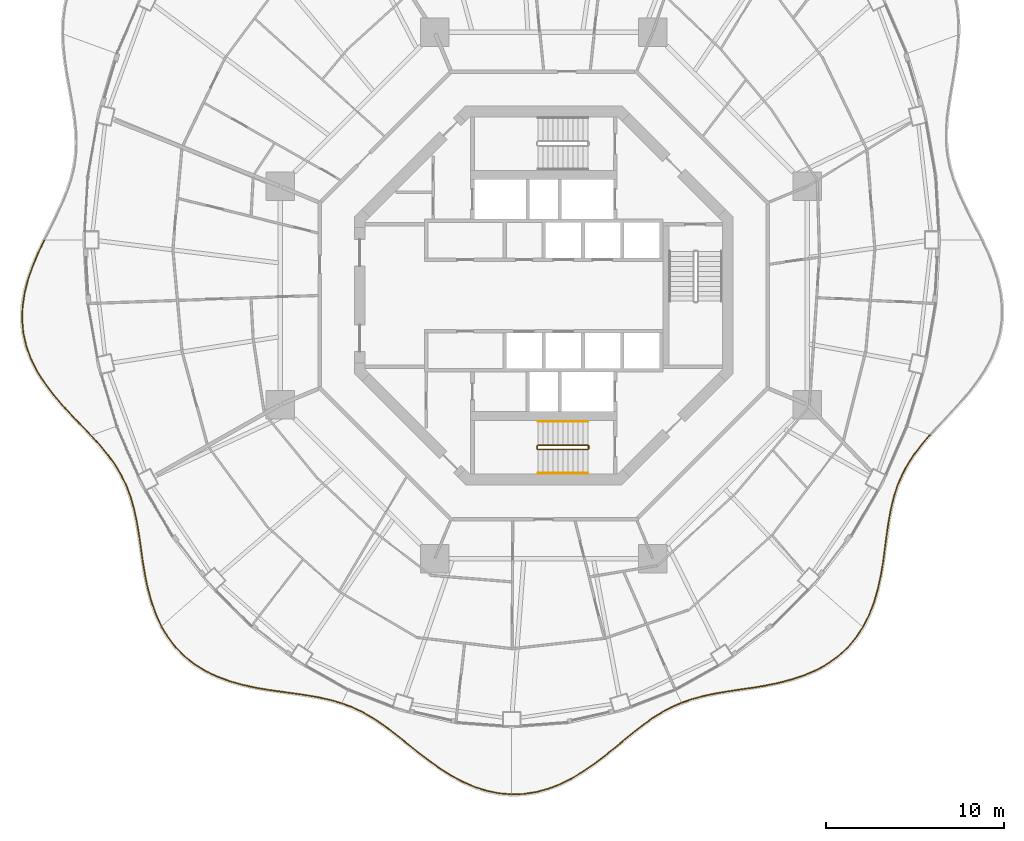
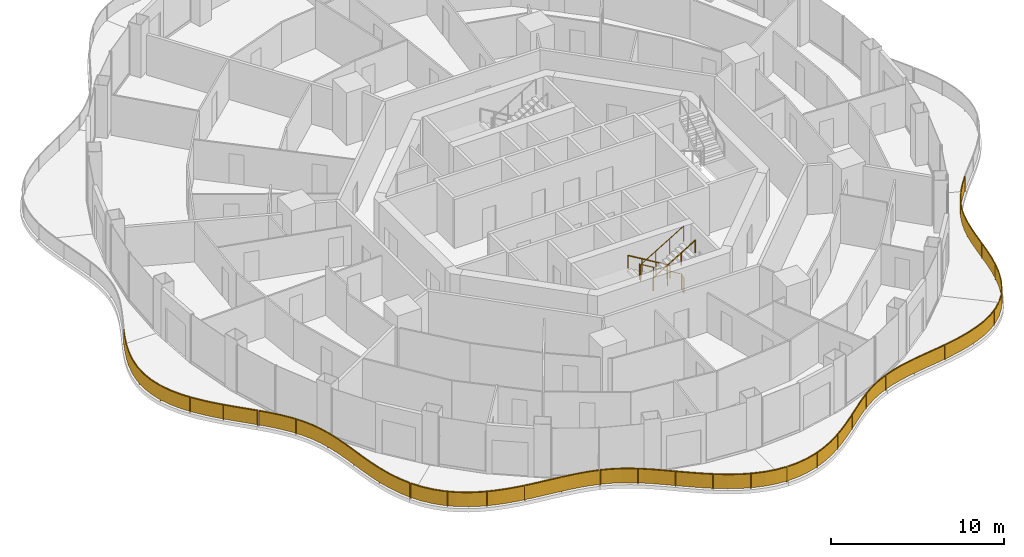
# One storey, part 16 of 18: 10 railings.
"""IFC4 building model written with IfcOpenShell, lengths in metres."""

from ifc_helpers import new_model, si_unit, direction, frame, origin, origin_2d, place, context, subcontext, project, spatial, polyline, rectangle, circle, outline, extrude, material, type_object, element, save


model = new_model("IFC4")

# Units and contexts
model_context = context("Model", 3, precision=1e-05, world=origin(), true_north=direction((0.0, 1.0)))
body_context = subcontext(model_context, "Body", "Model", "MODEL_VIEW")
ifc_project = project(units=[si_unit("LENGTHUNIT", "METRE"), si_unit("AREAUNIT", "SQUARE_METRE"), si_unit("VOLUMEUNIT", "CUBIC_METRE"), si_unit("PLANEANGLEUNIT", "RADIAN"), si_unit("MASSUNIT", "GRAM", prefix="KILO")], contexts=[model_context])

# Site, building, storey
site_placement = place(None, origin())
site = spatial("IfcSite", under=ifc_project, at=site_placement, CompositionType="ELEMENT")
building_placement = place(site_placement, origin())
building = spatial("IfcBuilding", under=site, at=building_placement, Name="Nagisa Residences", CompositionType="ELEMENT")
storey_placement = place(building_placement, frame((0.0, 0.0, 223.300048828125)))
storey = spatial("IfcBuildingStorey", under=building, at=storey_placement, Name="L56", CompositionType="ELEMENT", Elevation=223.300048828125)

# Railings
ifc_material_1 = material(Name="Stainless steel 316", Category="steel")
railing_type_1 = type_object("IfcRailingType", Name="BALCONY GUARD 1100", PredefinedType="BALUSTRADE", material=ifc_material_1)
railing_1_placement = place(storey_placement, frame((-28.03857421875, 3.08349609375, 0.0)))
element("IfcRailing", 1, at=railing_1_placement, inside=storey, type_object=railing_type_1, Name="guard:L56:bal08-0", PredefinedType="BALUSTRADE", context=body_context, shape_type="SweptSolid", body=[
    extrude(outline(polyline([(-0.30126953125, -0.693603515625), (0.022705078125, -0.0107421875), (-0.022705078125, 0.0107421875), (-0.34716796875, -0.673095703125), (-0.658203125, -1.4130859375), (-0.920166015625, -2.164794921875), (-1.11669921875, -2.925048828125), (-1.233154296875, -3.6884765625), (-1.261962890625, -4.435791015625), (-1.193115234375, -5.18798828125), (-1.027587890625, -5.925537109375), (-0.76806640625, -6.64306640625), (-0.4228515625, -7.3369140625), (-0.0068359375, -7.989990234375), (0.471435546875, -8.629638671875), (0.99169921875, -9.243408203125), (1.534912109375, -9.834228515625), (2.0830078125, -10.4072265625), (2.5888671875, -10.93603515625), (2.625, -10.9013671875), (2.119140625, -10.37255859375), (1.571533203125, -9.800048828125), (1.029296875, -9.210205078125), (0.510498046875, -8.598388671875), (0.0341796875, -7.961669921875), (-0.37939453125, -7.31201171875), (-0.72216796875, -6.62353515625), (-0.979248046875, -5.911376953125), (-1.143798828125, -5.18017578125), (-1.211669921875, -4.434326171875), (-1.183349609375, -3.693359375), (-1.0673828125, -2.935302734375), (-0.872314453125, -2.179443359375), (-0.611328125, -1.43115234375), (-0.30126953125, -0.693603515625)])), frame((0.0, 0.0, 1.050048828125)), (0.0, 0.0, 1.0), 0.050048828125),
    extrude(outline(polyline([(-0.31787109375, -0.686279296875), (0.00634765625, -0.0029296875), (-0.00634765625, 0.0029296875), (-0.33056640625, -0.680419921875), (-0.641357421875, -1.419677734375), (-0.90283203125, -2.170166015625), (-1.098876953125, -2.9287109375), (-1.21533203125, -3.690185546875), (-1.243896484375, -4.435302734375), (-1.17529296875, -5.18505859375), (-1.01025390625, -5.92041015625), (-0.75146484375, -6.635986328125), (-0.4072265625, -7.327880859375), (0.0078125, -7.979736328125), (0.485595703125, -8.618408203125), (1.00537109375, -9.2314453125), (1.548095703125, -9.822021484375), (2.095947265625, -10.394775390625), (2.601806640625, -10.923583984375), (2.612060546875, -10.913818359375), (2.106201171875, -10.385009765625), (1.558349609375, -9.812255859375), (1.015625, -9.22216796875), (0.496337890625, -8.609619140625), (0.01953125, -7.971923828125), (-0.39501953125, -7.321044921875), (-0.73876953125, -6.630615234375), (-0.99658203125, -5.91650390625), (-1.16162109375, -5.18310546875), (-1.229736328125, -4.434814453125), (-1.201171875, -3.691650390625), (-1.085205078125, -2.931640625), (-0.8896484375, -2.174072265625), (-0.628173828125, -1.424560546875), (-0.31787109375, -0.686279296875)])), frame((0.0, 0.0, 0.06005859375)), (0.0, 0.0, 1.0), 0.989990234375),
    extrude(rectangle(XDim=0.0400390625, YDim=0.0400390625, at=origin_2d()), origin(), (0.0, 0.0, 1.0), 1.050048828125),
    extrude(rectangle(XDim=0.0400390625, YDim=0.0400390625, at=origin_2d()), frame((-0.801513671875, -1.900390625, 0.0)), (0.0, 0.0, 1.0), 1.050048828125),
    extrude(rectangle(XDim=0.0400390625, YDim=0.0400390625, at=origin_2d()), frame((-1.216796875, -3.91455078125, 0.0)), (0.0, 0.0, 1.0), 1.050048828125),
    extrude(rectangle(XDim=0.0400390625, YDim=0.0400390625, at=origin_2d()), frame((-0.990234375, -5.95458984375, 0.0)), (0.0, 0.0, 1.0), 1.050048828125),
    extrude(rectangle(XDim=0.0400390625, YDim=0.0400390625, at=origin_2d()), frame((-0.0947265625, -7.8056640625, 0.0)), (0.0, 0.0, 1.0), 1.050048828125),
    extrude(rectangle(XDim=0.0400390625, YDim=0.0400390625, at=origin_2d()), frame((1.18798828125, -9.419677734375, 0.0)), (0.0, 0.0, 1.0), 1.050048828125),
    extrude(rectangle(XDim=0.0400390625, YDim=0.0400390625, at=origin_2d()), frame((2.60693359375, -10.918701171875, 0.0)), (0.0, 0.0, 1.0), 1.050048828125),
])
railing_2_placement = place(storey_placement, frame((-25.379150390625, -7.888671875, 0.0)))
element("IfcRailing", 2, at=railing_2_placement, inside=storey, type_object=railing_type_1, Name="guard:L56:bal09-0", PredefinedType="BALUSTRADE", context=body_context, shape_type="SweptSolid", body=[
    extrude(outline(polyline([(0.48095703125, -0.4912109375), (0.0185546875, 0.016845703125), (-0.0185546875, -0.016845703125), (0.443359375, -0.52392578125), (0.893310546875, -1.068359375), (1.294677734375, -1.623779296875), (1.641845703125, -2.197021484375), (1.933349609375, -2.794921875), (2.164306640625, -3.407958984375), (2.354248046875, -4.0654296875), (2.5048828125, -4.7548828125), (2.62841796875, -5.473876953125), (2.73779296875, -6.2177734375), (2.83984375, -6.9677734375), (2.966552734375, -7.739501953125), (3.1240234375, -8.509765625), (3.325927734375, -9.267578125), (3.58349609375, -10.000244140625), (3.883544921875, -10.65380859375), (3.928955078125, -10.6328125), (3.6298828125, -9.981689453125), (3.373779296875, -9.2529296875), (3.1728515625, -8.49853515625), (3.015869140625, -7.730224609375), (2.88916015625, -6.96044921875), (2.787109375, -6.2109375), (2.677734375, -5.466064453125), (2.55419921875, -4.7451171875), (2.402587890625, -4.05322265625), (2.211669921875, -3.392333984375), (1.979248046875, -2.77490234375), (1.685791015625, -2.173095703125), (1.336669921875, -1.595947265625), (0.932861328125, -1.03759765625), (0.48095703125, -0.4912109375)])), frame((0.0, 0.0, 1.050048828125)), (0.0, 0.0, 1.0), 0.050048828125),
    extrude(outline(polyline([(0.467529296875, -0.5029296875), (0.005126953125, 0.004638671875), (-0.005126953125, -0.004638671875), (0.456787109375, -0.51220703125), (0.907470703125, -1.057373046875), (1.309814453125, -1.61376953125), (1.65771484375, -2.1884765625), (1.949951171875, -2.78759765625), (2.181396484375, -3.40234375), (2.37158203125, -4.06103515625), (2.522705078125, -4.751220703125), (2.646240234375, -5.47119140625), (2.755615234375, -6.21533203125), (2.857666015625, -6.965087890625), (2.984375, -7.736083984375), (3.1416015625, -8.505859375), (3.34326171875, -9.26220703125), (3.60009765625, -9.99365234375), (3.89990234375, -10.646240234375), (3.91259765625, -10.640380859375), (3.61328125, -9.98828125), (3.3564453125, -9.25830078125), (3.1552734375, -8.50244140625), (2.998046875, -7.733642578125), (2.871337890625, -6.963134765625), (2.769287109375, -6.21337890625), (2.659912109375, -5.46875), (2.536376953125, -4.748779296875), (2.38525390625, -4.0576171875), (2.194580078125, -3.39794921875), (1.962646484375, -2.7822265625), (1.669921875, -2.181640625), (1.321533203125, -1.60595703125), (0.918701171875, -1.048583984375), (0.467529296875, -0.5029296875)])), frame((0.0, 0.0, 0.06005859375)), (0.0, 0.0, 1.0), 0.989990234375),
    extrude(rectangle(XDim=0.0400390625, YDim=0.0400390625, at=origin_2d()), origin(), (0.0, 0.0, 1.0), 1.050048828125),
    extrude(rectangle(XDim=0.0400390625, YDim=0.0400390625, at=origin_2d()), frame((1.434326171875, -1.805908203125, 0.0)), (0.0, 0.0, 1.0), 1.050048828125),
    extrude(rectangle(XDim=0.0400390625, YDim=0.0400390625, at=origin_2d()), frame((2.338623046875, -3.92138671875, 0.0)), (0.0, 0.0, 1.0), 1.050048828125),
    extrude(rectangle(XDim=0.0400390625, YDim=0.0400390625, at=origin_2d()), frame((2.759033203125, -6.19140625, 0.0)), (0.0, 0.0, 1.0), 1.050048828125),
    extrude(rectangle(XDim=0.0400390625, YDim=0.0400390625, at=origin_2d()), frame((3.141357421875, -8.46923828125, 0.0)), (0.0, 0.0, 1.0), 1.050048828125),
    extrude(rectangle(XDim=0.0400390625, YDim=0.0400390625, at=origin_2d()), frame((3.90625, -10.643310546875, 0.0)), (0.0, 0.0, 1.0), 1.050048828125),
])
railing_3_placement = place(storey_placement, frame((-21.437255859375, -18.6005859375, 0.0)))
element("IfcRailing", 3, at=railing_3_placement, inside=storey, type_object=railing_type_1, Name="guard:L56:bal10-0", PredefinedType="BALUSTRADE", context=body_context, shape_type="SweptSolid", body=[
    extrude(outline(polyline([(0.365478515625, -0.563232421875), (0.021484375, 0.012939453125), (-0.021484375, -0.012939453125), (0.323974609375, -0.591552734375), (0.760498046875, -1.158447265625), (1.260986328125, -1.66748046875), (1.822021484375, -2.114013671875), (2.4375, -2.496337890625), (3.086669921875, -2.8046875), (3.784423828125, -3.064697265625), (4.508056640625, -3.271484375), (5.246826171875, -3.434326171875), (5.989990234375, -3.5634765625), (6.7138671875, -3.661865234375), (7.43798828125, -3.760498046875), (8.141845703125, -3.863525390625), (8.820556640625, -3.98291015625), (9.471923828125, -4.12939453125), (10.05615234375, -4.30029296875), (10.0703125, -4.25244140625), (9.484619140625, -4.0810546875), (8.830322265625, -3.93359375), (8.149658203125, -3.814208984375), (7.44482421875, -3.711181640625), (6.720703125, -3.612060546875), (5.997802734375, -3.51416015625), (5.256591796875, -3.385009765625), (4.520263671875, -3.22314453125), (3.800048828125, -3.017333984375), (3.106201171875, -2.7587890625), (2.46142578125, -2.452392578125), (1.850830078125, -2.072998046875), (1.294677734375, -1.63037109375), (0.798095703125, -1.125732421875), (0.365478515625, -0.563232421875)])), frame((0.0, 0.0, 1.050048828125)), (0.0, 0.0, 1.0), 0.050048828125),
    extrude(outline(polyline([(0.3505859375, -0.573486328125), (0.006103515625, 0.003662109375), (-0.006103515625, -0.003662109375), (0.3388671875, -0.581298828125), (0.77392578125, -1.146728515625), (1.273193359375, -1.654052734375), (1.832275390625, -2.09912109375), (2.446044921875, -2.48046875), (3.09375, -2.7880859375), (3.7900390625, -3.047607421875), (4.512451171875, -3.254150390625), (5.250244140625, -3.41650390625), (5.992919921875, -3.545654296875), (6.71630859375, -3.643798828125), (7.4404296875, -3.74267578125), (8.14453125, -3.845703125), (8.823974609375, -3.965087890625), (9.4765625, -4.112060546875), (10.061279296875, -4.283203125), (10.065185546875, -4.26953125), (9.47998046875, -4.098388671875), (8.826904296875, -3.951416015625), (8.14697265625, -3.83203125), (7.4423828125, -3.72900390625), (6.71826171875, -3.630126953125), (5.994873046875, -3.531982421875), (5.253173828125, -3.40283203125), (4.515869140625, -3.240478515625), (3.79443359375, -3.034423828125), (3.09912109375, -2.775390625), (2.452880859375, -2.46826171875), (1.840576171875, -2.087890625), (1.282470703125, -1.643798828125), (0.78466796875, -1.137451171875), (0.3505859375, -0.573486328125)])), frame((0.0, 0.0, 0.06005859375)), (0.0, 0.0, 1.0), 0.989990234375),
    extrude(rectangle(XDim=0.0400390625, YDim=0.0400390625, at=origin_2d()), origin(), (0.0, 0.0, 1.0), 1.050048828125),
    extrude(rectangle(XDim=0.0400390625, YDim=0.0400390625, at=origin_2d()), frame((1.42041015625, -1.762451171875, 0.0)), (0.0, 0.0, 1.0), 1.050048828125),
    extrude(rectangle(XDim=0.0400390625, YDim=0.0400390625, at=origin_2d()), frame((3.3857421875, -2.889404296875, 0.0)), (0.0, 0.0, 1.0), 1.050048828125),
    extrude(rectangle(XDim=0.0400390625, YDim=0.0400390625, at=origin_2d()), frame((5.5849609375, -3.4677734375, 0.0)), (0.0, 0.0, 1.0), 1.050048828125),
    extrude(rectangle(XDim=0.0400390625, YDim=0.0400390625, at=origin_2d()), frame((7.839599609375, -3.794189453125, 0.0)), (0.0, 0.0, 1.0), 1.050048828125),
    extrude(rectangle(XDim=0.0400390625, YDim=0.0400390625, at=origin_2d()), frame((10.063232421875, -4.2763671875, 0.0)), (0.0, 0.0, 1.0), 1.050048828125),
])
railing_4_placement = place(storey_placement, frame((-11.307861328125, -22.897705078125, 0.0)))
element("IfcRailing", 4, at=railing_4_placement, inside=storey, type_object=railing_type_1, Name="guard:L56:bal11-0", PredefinedType="BALUSTRADE", context=body_context, shape_type="SweptSolid", body=[
    extrude(outline(polyline([(0.549072265625, -0.179931640625), (0.0087890625, 0.0234375), (-0.0087890625, -0.0234375), (0.529541015625, -0.226318359375), (1.087890625, -0.487548828125), (1.6318359375, -0.7939453125), (2.16650390625, -1.142578125), (2.69873046875, -1.529296875), (3.218017578125, -1.941162109375), (3.763916015625, -2.37890625), (4.32470703125, -2.825439453125), (4.904541015625, -3.267333984375), (5.506103515625, -3.690673828125), (6.114013671875, -4.0791015625), (6.760498046875, -4.423828125), (7.428466796875, -4.710693359375), (8.113525390625, -4.928466796875), (8.8115234375, -5.0693359375), (9.467041015625, -5.1240234375), (9.471435546875, -5.07421875), (8.818359375, -5.01953125), (8.126220703125, -4.880126953125), (7.446044921875, -4.663818359375), (6.781982421875, -4.37890625), (6.139404296875, -4.03564453125), (5.533935546875, -3.649169921875), (4.934326171875, -3.226806640625), (4.35546875, -2.785888671875), (3.795166015625, -2.33984375), (3.249267578125, -1.902099609375), (2.72900390625, -1.4892578125), (2.19482421875, -1.1015625), (1.65771484375, -0.7509765625), (1.11083984375, -0.443115234375), (0.549072265625, -0.179931640625)])), frame((0.0, 0.0, 1.050048828125)), (0.0, 0.0, 1.0), 0.050048828125),
    extrude(outline(polyline([(0.5419921875, -0.19677734375), (0.00244140625, 0.006591796875), (-0.00244140625, -0.006591796875), (0.53662109375, -0.20947265625), (1.09619140625, -0.4716796875), (1.64111328125, -0.778564453125), (2.1767578125, -1.1279296875), (2.709716796875, -1.514892578125), (3.229248046875, -1.927001953125), (3.775146484375, -2.36474609375), (4.335693359375, -2.811279296875), (4.915283203125, -3.252685546875), (5.51611328125, -3.67578125), (6.123291015625, -4.0634765625), (6.768310546875, -4.40771484375), (7.434814453125, -4.69384765625), (8.1181640625, -4.9111328125), (8.81396484375, -5.05126953125), (9.46875, -5.106201171875), (9.4697265625, -5.092041015625), (8.81591796875, -5.03759765625), (8.12158203125, -4.8974609375), (7.439697265625, -4.6806640625), (6.774169921875, -4.39501953125), (6.130126953125, -4.05126953125), (5.52392578125, -3.6640625), (4.923583984375, -3.241455078125), (4.344482421875, -2.800048828125), (3.783935546875, -2.35400390625), (3.238037109375, -1.916259765625), (2.718017578125, -1.503662109375), (2.1845703125, -1.1162109375), (1.6484375, -0.766357421875), (1.1025390625, -0.458984375), (0.5419921875, -0.19677734375)])), frame((0.0, 0.0, 0.06005859375)), (0.0, 0.0, 1.0), 0.989990234375),
    extrude(rectangle(XDim=0.0400390625, YDim=0.0400390625, at=origin_2d()), origin(), (0.0, 0.0, 1.0), 1.050048828125),
    extrude(rectangle(XDim=0.0400390625, YDim=0.0400390625, at=origin_2d()), frame((1.948974609375, -0.970947265625, 0.0)), (0.0, 0.0, 1.0), 1.050048828125),
    extrude(rectangle(XDim=0.0400390625, YDim=0.0400390625, at=origin_2d()), frame((3.68994140625, -2.287353515625, 0.0)), (0.0, 0.0, 1.0), 1.050048828125),
    extrude(rectangle(XDim=0.0400390625, YDim=0.0400390625, at=origin_2d()), frame((5.4296875, -3.606201171875, 0.0)), (0.0, 0.0, 1.0), 1.050048828125),
    extrude(rectangle(XDim=0.0400390625, YDim=0.0400390625, at=origin_2d()), frame((7.343505859375, -4.64697265625, 0.0)), (0.0, 0.0, 1.0), 1.050048828125),
    extrude(rectangle(XDim=0.0400390625, YDim=0.0400390625, at=origin_2d()), frame((9.46923828125, -5.09912109375, 0.0)), (0.0, 0.0, 1.0), 1.050048828125),
])
railing_5_placement = place(storey_placement, frame((-1.76123046875, -27.998779296875, 0.0)))
element("IfcRailing", 5, at=railing_5_placement, inside=storey, type_object=railing_type_1, Name="guard:L56:bal12-0", PredefinedType="BALUSTRADE", context=body_context, shape_type="SweptSolid", body=[
    extrude(outline(polyline([(0.652587890625, 0.049072265625), (-0.0009765625, 0.02490234375), (0.0009765625, -0.02490234375), (0.657470703125, -0.000732421875), (1.358154296875, 0.109130859375), (2.04736328125, 0.298828125), (2.720947265625, 0.5615234375), (3.373291015625, 0.8876953125), (3.98779296875, 1.263427734375), (4.5947265625, 1.6806640625), (5.178955078125, 2.123291015625), (5.74267578125, 2.5771484375), (6.2890625, 3.0283203125), (6.806640625, 3.459228515625), (7.334228515625, 3.86962890625), (7.86181640625, 4.24560546875), (8.395751953125, 4.580810546875), (8.942138671875, 4.872314453125), (9.4677734375, 5.102294921875), (9.44775390625, 5.148193359375), (8.920166015625, 4.917236328125), (8.370849609375, 4.624267578125), (7.833984375, 4.287109375), (7.304443359375, 3.90966796875), (6.775390625, 3.498291015625), (6.25732421875, 3.06689453125), (5.7109375, 2.61572265625), (5.148193359375, 2.162841796875), (4.5654296875, 1.72119140625), (3.96044921875, 1.305419921875), (3.348876953125, 0.931640625), (2.700439453125, 0.607421875), (2.03173828125, 0.34619140625), (1.347412109375, 0.157958984375), (0.652587890625, 0.049072265625)])), frame((0.0, 0.0, 1.050048828125)), (0.0, 0.0, 1.0), 0.050048828125),
    extrude(outline(polyline([(0.654296875, 0.03125), (-0.000244140625, 0.007080078125), (0.000244140625, -0.007080078125), (0.65576171875, 0.01708984375), (1.354248046875, 0.126708984375), (2.041748046875, 0.31591796875), (2.713623046875, 0.578125), (3.364501953125, 0.903564453125), (3.97802734375, 1.278564453125), (4.584228515625, 1.6953125), (5.16796875, 2.137451171875), (5.731201171875, 2.591064453125), (6.277587890625, 3.042236328125), (6.79541015625, 3.473388671875), (7.323486328125, 3.884033203125), (7.851806640625, 4.260498046875), (8.38671875, 4.596435546875), (8.934326171875, 4.888427734375), (9.46044921875, 5.118896484375), (9.455078125, 5.131591796875), (8.927978515625, 4.901123046875), (8.3798828125, 4.608642578125), (7.843994140625, 4.272216796875), (7.315185546875, 3.895263671875), (6.78662109375, 3.484130859375), (6.268798828125, 3.052978515625), (5.722412109375, 2.601806640625), (5.1591796875, 2.148681640625), (4.575927734375, 1.70654296875), (3.97021484375, 1.290283203125), (3.357666015625, 0.915771484375), (2.707763671875, 0.5908203125), (2.037353515625, 0.3291015625), (1.351318359375, 0.140380859375), (0.654296875, 0.03125)])), frame((0.0, 0.0, 0.06005859375)), (0.0, 0.0, 1.0), 0.989990234375),
    extrude(rectangle(XDim=0.0400390625, YDim=0.0400390625, at=origin_2d()), origin(), (0.0, 0.0, 1.0), 1.050048828125),
    extrude(rectangle(XDim=0.0400390625, YDim=0.0400390625, at=origin_2d()), frame((2.1494140625, 0.365234375, 0.0)), (0.0, 0.0, 1.0), 1.050048828125),
    extrude(rectangle(XDim=0.0400390625, YDim=0.0400390625, at=origin_2d()), frame((4.092529296875, 1.36572265625, 0.0)), (0.0, 0.0, 1.0), 1.050048828125),
    extrude(rectangle(XDim=0.0400390625, YDim=0.0400390625, at=origin_2d()), frame((5.838623046875, 2.688720703125, 0.0)), (0.0, 0.0, 1.0), 1.050048828125),
    extrude(rectangle(XDim=0.0400390625, YDim=0.0400390625, at=origin_2d()), frame((7.551513671875, 4.05517578125, 0.0)), (0.0, 0.0, 1.0), 1.050048828125),
    extrude(rectangle(XDim=0.0400390625, YDim=0.0400390625, at=origin_2d()), frame((9.457763671875, 5.125244140625, 0.0)), (0.0, 0.0, 1.0), 1.050048828125),
])
railing_6_placement = place(storey_placement, frame((7.760986328125, -22.848876953125, 0.0)))
element("IfcRailing", 6, at=railing_6_placement, inside=storey, type_object=railing_type_1, Name="guard:L56:bal13-0", PredefinedType="BALUSTRADE", context=body_context, shape_type="SweptSolid", body=[
    extrude(outline(polyline([(0.56298828125, 0.2216796875), (-0.00830078125, 0.023681640625), (0.00830078125, -0.023681640625), (0.57763671875, 0.173828125), (1.213623046875, 0.345458984375), (1.87744140625, 0.485595703125), (2.56787109375, 0.60400390625), (3.28125, 0.712158203125), (3.997802734375, 0.81396484375), (4.73779296875, 0.93994140625), (5.47802734375, 1.09423828125), (6.207763671875, 1.287353515625), (6.916259765625, 1.52880859375), (7.58056640625, 1.816162109375), (8.214599609375, 2.175048828125), (8.797607421875, 2.596923828125), (9.322265625, 3.081787109375), (9.783447265625, 3.626220703125), (10.15185546875, 4.186279296875), (10.10986328125, 4.213623046875), (9.743408203125, 3.656494140625), (9.2861328125, 3.116455078125), (8.765869140625, 2.635498046875), (8.187744140625, 2.217041015625), (7.55810546875, 1.861083984375), (6.898193359375, 1.57568359375), (6.193115234375, 1.335205078125), (5.46630859375, 1.14306640625), (4.728515625, 0.9892578125), (3.989990234375, 0.86328125), (3.27392578125, 0.761474609375), (2.56005859375, 0.6533203125), (1.8681640625, 0.534912109375), (1.201904296875, 0.394287109375), (0.56298828125, 0.2216796875)])), frame((0.0, 0.0, 1.050048828125)), (0.0, 0.0, 1.0), 0.050048828125),
    extrude(outline(polyline([(0.568359375, 0.204345703125), (-0.002197265625, 0.006591796875), (0.002197265625, -0.006591796875), (0.572265625, 0.191162109375), (1.20947265625, 0.363037109375), (1.8740234375, 0.50341796875), (2.565185546875, 0.621826171875), (3.278564453125, 0.72998046875), (3.994873046875, 0.831787109375), (4.734375, 0.957763671875), (5.473876953125, 1.11181640625), (6.202392578125, 1.3046875), (6.90966796875, 1.545654296875), (7.572509765625, 1.832275390625), (8.205078125, 2.190185546875), (8.7861328125, 2.61083984375), (9.309326171875, 3.09423828125), (9.76904296875, 3.63720703125), (10.13671875, 4.196044921875), (10.125, 4.203857421875), (9.7578125, 3.6455078125), (9.299072265625, 3.10400390625), (8.77734375, 2.62158203125), (8.197265625, 2.201904296875), (7.566162109375, 1.844970703125), (6.90478515625, 1.558837890625), (6.198486328125, 1.31787109375), (5.470458984375, 1.12548828125), (4.73193359375, 0.971435546875), (3.992919921875, 0.845458984375), (3.276611328125, 0.74365234375), (2.562744140625, 0.635498046875), (1.87158203125, 0.51708984375), (1.2060546875, 0.376708984375), (0.568359375, 0.204345703125)])), frame((0.0, 0.0, 0.06005859375)), (0.0, 0.0, 1.0), 0.989990234375),
    extrude(rectangle(XDim=0.0400390625, YDim=0.0400390625, at=origin_2d()), origin(), (0.0, 0.0, 1.0), 1.050048828125),
    extrude(rectangle(XDim=0.0400390625, YDim=0.0400390625, at=origin_2d()), frame((2.1943359375, 0.5654296875, 0.0)), (0.0, 0.0, 1.0), 1.050048828125),
    extrude(rectangle(XDim=0.0400390625, YDim=0.0400390625, at=origin_2d()), frame((4.437255859375, 0.9140625, 0.0)), (0.0, 0.0, 1.0), 1.050048828125),
    extrude(rectangle(XDim=0.0400390625, YDim=0.0400390625, at=origin_2d()), frame((6.63720703125, 1.460205078125, 0.0)), (0.0, 0.0, 1.0), 1.050048828125),
    extrude(rectangle(XDim=0.0400390625, YDim=0.0400390625, at=origin_2d()), frame((8.636474609375, 2.510986328125, 0.0)), (0.0, 0.0, 1.0), 1.050048828125),
    extrude(rectangle(XDim=0.0400390625, YDim=0.0400390625, at=origin_2d()), frame((10.130859375, 4.199951171875, 0.0)), (0.0, 0.0, 1.0), 1.050048828125),
])
railing_7_placement = place(storey_placement, frame((17.930419921875, -18.581787109375, 0.0)))
element("IfcRailing", 7, at=railing_7_placement, inside=storey, type_object=railing_type_1, Name="guard:L56:bal14-0", PredefinedType="BALUSTRADE", context=body_context, shape_type="SweptSolid", body=[
    extrude(outline(polyline([(0.298828125, 0.64599609375), (-0.022216796875, 0.01123046875), (0.022216796875, -0.01123046875), (0.3447265625, 0.62548828125), (0.622314453125, 1.345458984375), (0.83984375, 2.095458984375), (1.0078125, 2.86328125), (1.13818359375, 3.636962890625), (1.237548828125, 4.3935546875), (1.33740234375, 5.14794921875), (1.4443359375, 5.880126953125), (1.5732421875, 6.5849609375), (1.73681640625, 7.259033203125), (1.937744140625, 7.888671875), (2.197509765625, 8.501953125), (2.5126953125, 9.089111328125), (2.8837890625, 9.65576171875), (3.306640625, 10.20849609375), (3.74658203125, 10.720703125), (3.70849609375, 10.75341796875), (3.267578125, 10.240234375), (2.8427734375, 9.6845703125), (2.4697265625, 9.114501953125), (2.152099609375, 8.5234375), (1.890869140625, 7.90625), (1.6884765625, 7.272705078125), (1.5244140625, 6.59521484375), (1.39501953125, 5.888427734375), (1.28759765625, 5.15478515625), (1.187744140625, 4.39990234375), (1.0888671875, 3.644287109375), (0.95849609375, 2.87255859375), (0.79150390625, 2.107666015625), (0.574951171875, 1.361572265625), (0.298828125, 0.64599609375)])), frame((0.0, 0.0, 1.050048828125)), (0.0, 0.0, 1.0), 0.050048828125),
    extrude(outline(polyline([(0.3154296875, 0.638671875), (-0.00634765625, 0.003173828125), (0.00634765625, -0.003173828125), (0.328125, 0.6328125), (0.605224609375, 1.351318359375), (0.822509765625, 2.099853515625), (0.989990234375, 2.86669921875), (1.120361328125, 3.6396484375), (1.219482421875, 4.395751953125), (1.3193359375, 5.150390625), (1.426513671875, 5.883056640625), (1.5556640625, 6.588623046875), (1.719482421875, 7.263916015625), (1.9208984375, 7.89501953125), (2.18115234375, 8.509765625), (2.497314453125, 9.09814453125), (2.868896484375, 9.666015625), (3.29248046875, 10.219970703125), (3.73291015625, 10.732421875), (3.72216796875, 10.74169921875), (3.28173828125, 10.228759765625), (2.857666015625, 9.67431640625), (2.485107421875, 9.10546875), (2.16845703125, 8.515625), (1.90771484375, 7.89990234375), (1.705810546875, 7.267822265625), (1.5419921875, 6.591552734375), (1.412841796875, 5.885498046875), (1.3056640625, 5.15234375), (1.205810546875, 4.397705078125), (1.106689453125, 3.6416015625), (0.976318359375, 2.869140625), (0.808837890625, 2.103271484375), (0.592041015625, 1.355712890625), (0.3154296875, 0.638671875)])), frame((0.0, 0.0, 0.06005859375)), (0.0, 0.0, 1.0), 0.989990234375),
    extrude(rectangle(XDim=0.0400390625, YDim=0.0400390625, at=origin_2d()), origin(), (0.0, 0.0, 1.0), 1.050048828125),
    extrude(rectangle(XDim=0.0400390625, YDim=0.0400390625, at=origin_2d()), frame((0.82666015625, 2.1513671875, 0.0)), (0.0, 0.0, 1.0), 1.050048828125),
    extrude(rectangle(XDim=0.0400390625, YDim=0.0400390625, at=origin_2d()), frame((1.216796875, 4.4287109375, 0.0)), (0.0, 0.0, 1.0), 1.050048828125),
    extrude(rectangle(XDim=0.0400390625, YDim=0.0400390625, at=origin_2d()), frame((1.578125, 6.711181640625, 0.0)), (0.0, 0.0, 1.0), 1.050048828125),
    extrude(rectangle(XDim=0.0400390625, YDim=0.0400390625, at=origin_2d()), frame((2.36865234375, 8.873779296875, 0.0)), (0.0, 0.0, 1.0), 1.050048828125),
    extrude(rectangle(XDim=0.0400390625, YDim=0.0400390625, at=origin_2d()), frame((3.7275390625, 10.737060546875, 0.0)), (0.0, 0.0, 1.0), 1.050048828125),
])
ifc_material_2 = material(Name="Stainless steel", Category="steel")
railing_type_2 = type_object("IfcRailingType", Name="Stair guard 1100", PredefinedType="GUARDRAIL", material=ifc_material_2)
railing_8_placement = place(storey_placement, frame((2.52490234375, -8.599609375, 0.0)))
element("IfcRailing", 8, at=railing_8_placement, inside=storey, type_object=railing_type_2, Name="L56 ST-S stair guard 1", PredefinedType="GUARDRAIL", context=body_context, shape_type="SweptSolid", body=[
    extrude(circle(Radius=0.02392578125, at=origin_2d()), frame((0.0, 0.0, 1.076171875), z_axis=(0.0, 1.0, 0.0), x_axis=(-1.0, 0.0, 0.0)), (0.0, 0.0, 1.0), 0.14990234375),
    extrude(circle(Radius=0.02392578125, at=origin_2d()), frame((0.0, 0.14990234375, 1.076171875), z_axis=(-0.273006030465, 0.27434429532, 0.922064485248), x_axis=(-0.708833529934, -0.705375805398, 0.0)), (0.0, 0.0, 1.0), 0.182373046875),
    extrude(circle(Radius=0.02392578125, at=origin_2d()), frame((-0.0498046875, 0.199951171875, 1.244140625), z_axis=(-0.857275202839, 0.0, 0.514858452973), x_axis=(0.0, -1.0, 0.0)), (0.0, 0.0, 1.0), 3.26611328125),
    extrude(circle(Radius=0.02392578125, at=origin_2d()), frame((-2.849853515625, 0.199951171875, 2.92578125), z_axis=(-0.707106781187, -0.707106781187, 0.0), x_axis=(0.707106781187, -0.707106781187, 0.0)), (0.0, 0.0, 1.0), 0.07080078125),
    extrude(circle(Radius=0.02392578125, at=origin_2d()), frame((-2.89990234375, 0.14990234375, 2.92578125), z_axis=(0.0, -1.0, 0.0), x_axis=(1.0, 0.0, 0.0)), (0.0, 0.0, 1.0), 0.14990234375),
    extrude(circle(Radius=0.02392578125, at=origin_2d()), frame((-2.89990234375, 0.0, 2.92578125), z_axis=(0.274243871929, -0.274243871929, 0.92172696468), x_axis=(0.707106781187, 0.707106781187, 0.0)), (0.0, 0.0, 1.0), 0.1826171875),
    extrude(circle(Radius=0.02392578125, at=origin_2d()), frame((-2.849853515625, -0.050048828125, 3.09423828125), z_axis=(0.857242210791, 0.0, 0.514913383045), x_axis=(0.0, 1.0, 0.0)), (0.0, 0.0, 1.0), 3.266357421875),
    extrude(circle(Radius=0.02099609375, at=origin_2d()), origin(), (0.0, 0.0, 1.0), 1.052001953125),
    extrude(circle(Radius=0.02099609375, at=origin_2d()), frame((0.0, 0.14990234375, 0.0)), (0.0, 0.0, 1.0), 1.052001953125),
    extrude(circle(Radius=0.02099609375, at=origin_2d()), frame((-0.0498046875, 0.199951171875, 0.168212890625)), (0.0, 0.0, 1.0), 1.052001953125),
    extrude(circle(Radius=0.02099609375, at=origin_2d()), frame((-0.983154296875, 0.199951171875, 0.728759765625)), (0.0, 0.0, 1.0), 1.052001953125),
    extrude(circle(Radius=0.02099609375, at=origin_2d()), frame((-1.91650390625, 0.199951171875, 1.289306640625)), (0.0, 0.0, 1.0), 1.052001953125),
    extrude(circle(Radius=0.02099609375, at=origin_2d()), frame((-2.849853515625, 0.199951171875, 1.849853515625)), (0.0, 0.0, 1.0), 1.052001953125),
    extrude(circle(Radius=0.02099609375, at=origin_2d()), frame((-2.89990234375, 0.14990234375, 1.849853515625)), (0.0, 0.0, 1.0), 1.052001953125),
    extrude(circle(Radius=0.02099609375, at=origin_2d()), frame((-2.89990234375, 0.0, 1.849853515625)), (0.0, 0.0, 1.0), 1.052001953125),
    extrude(circle(Radius=0.02099609375, at=origin_2d()), frame((-2.849853515625, -0.050048828125, 2.01806640625)), (0.0, 0.0, 1.0), 1.052001953125),
    extrude(circle(Radius=0.02099609375, at=origin_2d()), frame((-1.91650390625, -0.050048828125, 2.57861328125)), (0.0, 0.0, 1.0), 1.052001953125),
    extrude(circle(Radius=0.02099609375, at=origin_2d()), frame((-0.983154296875, -0.050048828125, 3.139404296875)), (0.0, 0.0, 1.0), 1.052001953125),
    extrude(circle(Radius=0.02099609375, at=origin_2d()), frame((-0.0498046875, -0.050048828125, 3.699951171875)), (0.0, 0.0, 1.0), 1.052001953125),
])
ifc_material_3 = material(Name="Stainless steel", Category="steel")
railing_type_3 = type_object("IfcRailingType", Name="Stair handrail 900", PredefinedType="HANDRAIL", material=ifc_material_3)
railing_9_placement = place(storey_placement, frame((2.47509765625, -7.07470703125, 0.168212890625)))
element("IfcRailing", 9, at=railing_9_placement, inside=storey, type_object=railing_type_3, Name="L56 ST-S stair handrail 1", PredefinedType="HANDRAIL", context=body_context, shape_type="SweptSolid", body=[
    extrude(circle(Radius=0.02392578125, at=origin_2d()), frame((0.0, 0.0, 0.8759765625), z_axis=(-0.857275202839, 0.0, 0.514858452973), x_axis=(0.0, -1.0, 0.0)), (0.0, 0.0, 1.0), 3.26611328125),
    extrude(circle(Radius=0.02099609375, at=origin_2d()), origin(), (0.0, 0.0, 1.0), 0.851806640625),
    extrude(circle(Radius=0.02099609375, at=origin_2d()), frame((-0.933349609375, 0.0, 0.560546875)), (0.0, 0.0, 1.0), 0.851806640625),
    extrude(circle(Radius=0.02099609375, at=origin_2d()), frame((-1.86669921875, 0.0, 1.12109375)), (0.0, 0.0, 1.0), 0.851806640625),
    extrude(circle(Radius=0.02099609375, at=origin_2d()), frame((-2.800048828125, 0.0, 1.681640625)), (0.0, 0.0, 1.0), 0.851806640625),
])
railing_10_placement = place(storey_placement, frame((-0.324951171875, -9.974609375, 2.01806640625)))
element("IfcRailing", 10, at=railing_10_placement, inside=storey, type_object=railing_type_3, Name="L56 ST-S stair handrail 2", PredefinedType="HANDRAIL", context=body_context, shape_type="SweptSolid", body=[
    extrude(circle(Radius=0.02392578125, at=origin_2d()), frame((0.0, 0.0, 0.8759765625), z_axis=(0.857242210791, 0.0, 0.514913383045), x_axis=(0.0, 1.0, 0.0)), (0.0, 0.0, 1.0), 3.266357421875),
    extrude(circle(Radius=0.02099609375, at=origin_2d()), origin(), (0.0, 0.0, 1.0), 0.851806640625),
    extrude(circle(Radius=0.02099609375, at=origin_2d()), frame((0.933349609375, 0.0, 0.560546875)), (0.0, 0.0, 1.0), 0.851806640625),
    extrude(circle(Radius=0.02099609375, at=origin_2d()), frame((1.86669921875, 0.0, 1.121337890625)), (0.0, 0.0, 1.0), 0.851806640625),
    extrude(circle(Radius=0.02099609375, at=origin_2d()), frame((2.800048828125, 0.0, 1.681884765625)), (0.0, 0.0, 1.0), 0.851806640625),
])

save(model, "model.ifc")
